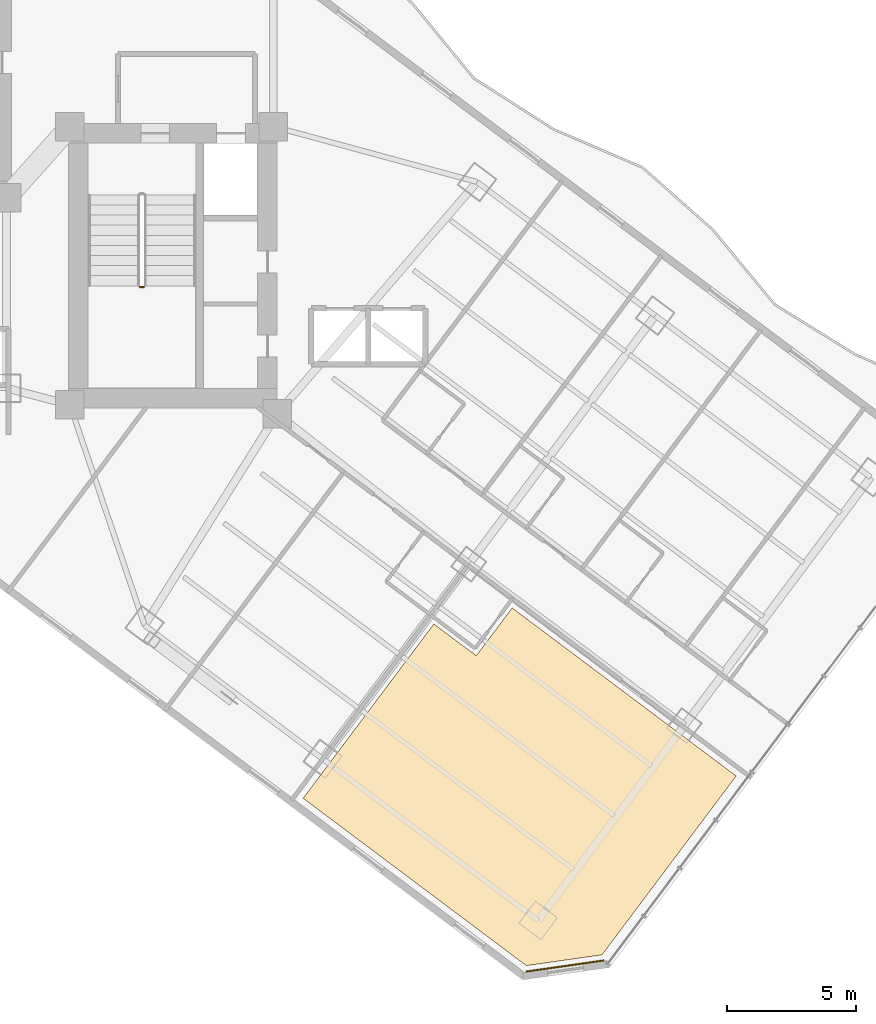
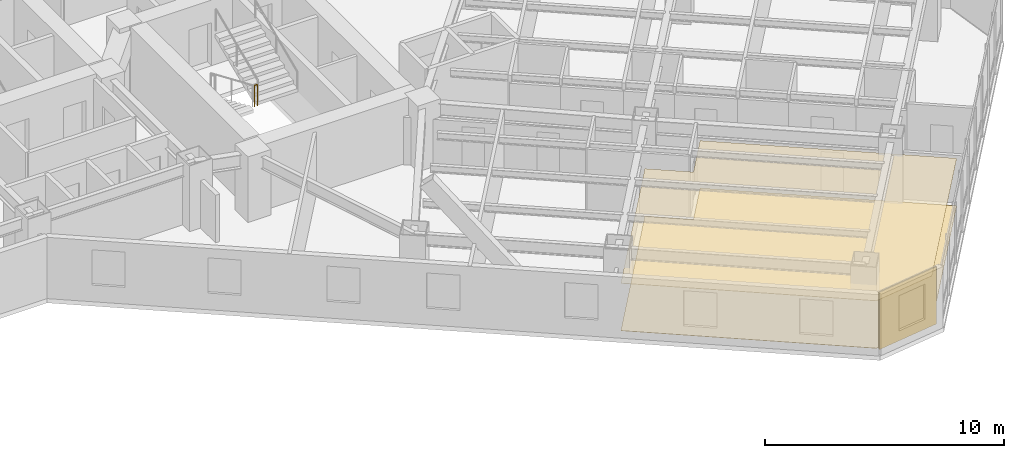
# One storey, part 29 of 33: 3 coverings, 1 railing.
"""IFC4 building model written with IfcOpenShell, lengths in metres."""

from ifc_helpers import new_model, si_unit, direction, frame, origin, origin_2d, place, context, subcontext, project, spatial, polyline, rectangle, circle, outline, extrude, material, layer, layer_set, type_object, element, save


model = new_model("IFC4")

# Units and contexts
model_context = context("Model", 3, precision=1e-05, world=origin(), true_north=direction((0.0, 1.0)))
body_context = subcontext(model_context, "Body", "Model", "MODEL_VIEW")
ifc_project = project(units=[si_unit("LENGTHUNIT", "METRE"), si_unit("AREAUNIT", "SQUARE_METRE"), si_unit("VOLUMEUNIT", "CUBIC_METRE"), si_unit("PLANEANGLEUNIT", "RADIAN"), si_unit("MASSUNIT", "GRAM", prefix="KILO")], contexts=[model_context])

# Site, building, storey
site_placement = place(None, origin())
site = spatial("IfcSite", under=ifc_project, at=site_placement, CompositionType="ELEMENT")
building_placement = place(site_placement, origin())
building = spatial("IfcBuilding", under=site, at=building_placement, Name="Hatsunagi Terrace Concourse", CompositionType="ELEMENT")
storey_placement = place(building_placement, frame((0.0, 0.0, 56.699951171875)))
storey = spatial("IfcBuildingStorey", under=building, at=storey_placement, Name="L14", CompositionType="ELEMENT", Elevation=56.699951171875)

# Coverings
ifc_material_1 = material(Name="Acoustic mineral board", Category="gypsum")
ifc_layer_1 = layer(ifc_material_1, 0.02001953125)
ifc_layer_set_1 = layer_set([ifc_layer_1], Name="AcousticMineralCeiling_20")
covering_type_1 = type_object("IfcCoveringType", Name="AcousticMineralCeiling_20", PredefinedType="CEILING", material=ifc_layer_set_1)
covering_1_placement = place(storey_placement, frame((0.0, 0.0, 2.420166015625)))
element("IfcCovering", 1, at=covering_1_placement, inside=storey, type_object=covering_type_1, Name="Suspended Ceiling L14-2", PredefinedType="CEILING", context=body_context, shape_type="SweptSolid", body=[
    extrude(outline(polyline([(56.347900390625, 3.31396484375), (61.52587890625, 10.218017578125), (52.8759765625, 16.705078125), (51.491943359375, 14.862060546875), (49.85302734375, 16.087890625), (44.805908203125, 9.35791015625), (53.422119140625, 2.89599609375), (56.347900390625, 3.31396484375)])), origin(), (0.0, 0.0, 1.0), 0.019775390625),
])
ifc_material_2 = material(Name="Hardwood timber", Category="wood")
ifc_layer_2 = layer(ifc_material_2, 0.014892578125)
ifc_layer_set_2 = layer_set([ifc_layer_2], Name="HardwoodTimberFlooring_15")
covering_type_2 = type_object("IfcCoveringType", Name="HardwoodTimberFlooring_15", PredefinedType="FLOORING", material=ifc_layer_set_2)
covering_2_placement = place(storey_placement, origin())
element("IfcCovering", 2, at=covering_2_placement, inside=storey, type_object=covering_type_2, Name="Finished Flooring L14-2", PredefinedType="FLOORING", context=body_context, shape_type="SweptSolid", body=[
    extrude(outline(polyline([(56.347900390625, 3.31396484375), (61.52587890625, 10.218017578125), (52.8759765625, 16.705078125), (51.491943359375, 14.862060546875), (49.85302734375, 16.087890625), (44.805908203125, 9.35791015625), (53.422119140625, 2.89599609375), (56.347900390625, 3.31396484375)])), origin(), (0.0, 0.0, 1.0), 0.01513671875),
])

# Railing
ifc_material_3 = material(Name="Stainless steel", Category="steel")
ifc_layer_3 = layer(ifc_material_3, 0.06005859375)
ifc_layer_set_3 = layer_set([ifc_layer_3], Name="StairWellGuard_Tower2000")
railing_type = type_object("IfcRailingType", Name="StairWellGuard_Tower2000", PredefinedType="BALUSTRADE", material=ifc_layer_set_3)
railing_placement = place(storey_placement, frame((38.5, 29.10009765625, 1.675048828125)))
element("IfcRailing", 3, at=railing_placement, inside=storey, type_object=railing_type, Name="L14 ST-B stair guard 2", PredefinedType="BALUSTRADE", context=body_context, shape_type="SweptSolid", body=[
    extrude(circle(Radius=0.02392578125, at=origin_2d()), frame((0.0, 0.0, 1.09619140625), z_axis=(1.0, 0.0, 0.0), x_axis=(0.0, 1.0, 0.0)), (0.0, 0.0, 1.0), 0.14990234375),
    extrude(circle(Radius=0.02099609375, at=origin_2d()), origin(), (0.0, 0.0, 1.0), 1.072021484375),
    extrude(circle(Radius=0.02099609375, at=origin_2d()), frame((0.14990234375, 0.0, 0.0)), (0.0, 0.0, 1.0), 1.072021484375),
])

# Covering
ifc_material_4 = material(Name="Unglazed Warm Terracotta Rainscreen Tile", Category="masonry")
ifc_layer_4 = layer(ifc_material_4, 0.044921875)
ifc_layer_set_4 = layer_set([ifc_layer_4], Name="TerracottaRainscreenCladding_45")
covering_type_3 = type_object("IfcCoveringType", Name="TerracottaRainscreenCladding_45", PredefinedType="CLADDING", material=ifc_layer_set_4)
covering_3_placement = place(storey_placement, frame((54.91796875, 2.87890625, 0.10009765625), z_axis=(0.0, 0.0, 1.0), x_axis=(-0.989973920543, -0.141250262458, 0.0)))
element("IfcCovering", 4, at=covering_3_placement, inside=storey, type_object=covering_type_3, Name="Terracotta Rainscreen Cladding L14-04", PredefinedType="CLADDING", context=body_context, shape_type="SweptSolid", body=[
    extrude(rectangle(XDim=3.0380859375, YDim=0.044921875, at=origin_2d()), origin(), (0.0, 0.0, 1.0), 2.929931640625),
])

save(model, "model.ifc")
